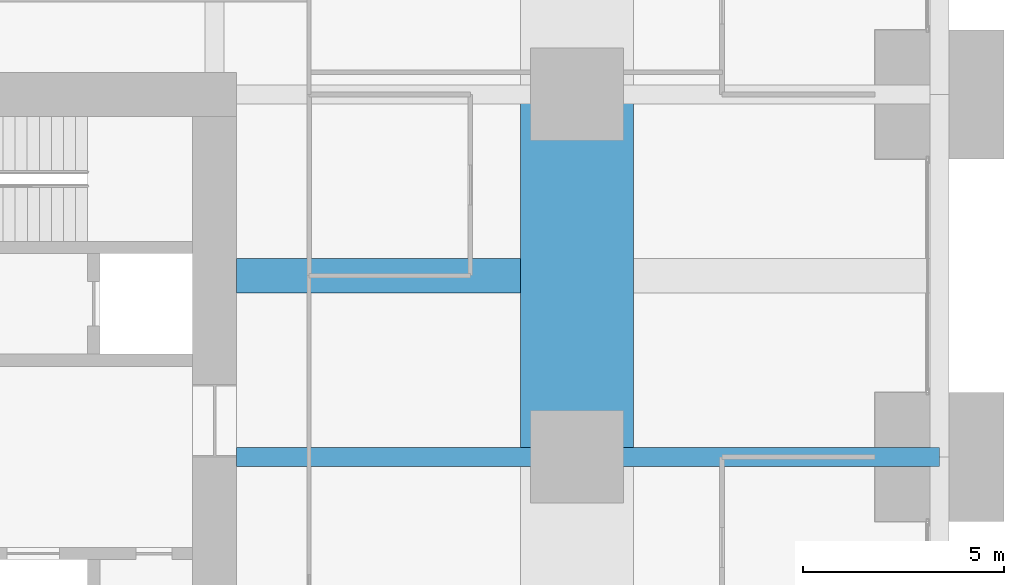
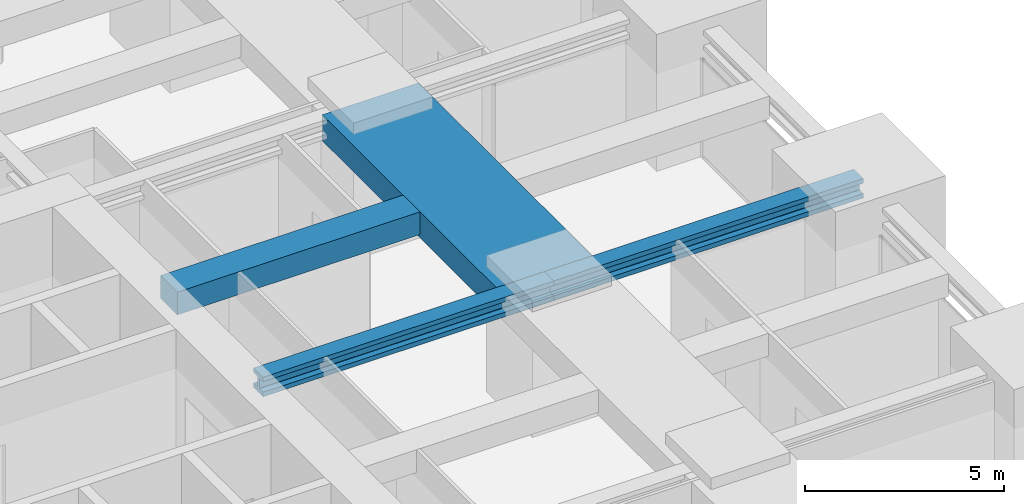
# One storey, part 20 of 42: 4 beams.
"""IFC4 building model written with IfcOpenShell, lengths in metres."""

from ifc_helpers import new_model, si_unit, direction, frame, origin, origin_2d, place, context, subcontext, project, spatial, rectangle, i_section, extrude, material, material_profile, profile_set, type_object, element, save


model = new_model("IFC4")

# Units and contexts
model_context = context("Model", 3, precision=1e-05, world=origin(), true_north=direction((0.0, 1.0)))
body_context = subcontext(model_context, "Body", "Model", "MODEL_VIEW")
ifc_project = project(units=[si_unit("LENGTHUNIT", "METRE"), si_unit("AREAUNIT", "SQUARE_METRE"), si_unit("VOLUMEUNIT", "CUBIC_METRE"), si_unit("PLANEANGLEUNIT", "RADIAN"), si_unit("MASSUNIT", "GRAM", prefix="KILO")], contexts=[model_context])

# Site, building, storey
site_placement = place(None, origin())
site = spatial("IfcSite", under=ifc_project, at=site_placement, CompositionType="ELEMENT")
building_placement = place(site_placement, origin())
building = spatial("IfcBuilding", under=site, at=building_placement, Name="Zorevar Civic Tower", CompositionType="ELEMENT")
storey_placement = place(building_placement, frame((0.0, 0.0, 75.800048828125)))
storey = spatial("IfcBuildingStorey", under=building, at=storey_placement, Name="L18", CompositionType="ELEMENT", Elevation=75.800048828125)

# Beams
ifc_material_1 = material(Name="Concrete C50/60", Category="concrete")
ifc_material_profile_1 = material_profile(ifc_material_1, rectangle(XDim=2.800048828125, YDim=0.800048828125, at=origin_2d()), Name="RC 2800x800")
ifc_profile_set_1 = profile_set([ifc_material_profile_1], Name="Concrete C50/60")
beam_type_1 = type_object("IfcBeamType", Name="Beam RC 2800x800", PredefinedType="BEAM", material=ifc_profile_set_1)
beam_1_placement = place(storey_placement, frame((54.0, 27.0, 3.449951171875), z_axis=(0.0, 1.0, 0.0), x_axis=(-1.0, 0.0, 0.0)))
element("IfcBeam", 1, at=beam_1_placement, inside=storey, type_object=beam_type_1, Name="Girder L19", PredefinedType="BEAM", context=body_context, shape_type="SweptSolid", body=[
    extrude(rectangle(XDim=2.800048828125, YDim=0.800048828125, at=origin_2d()), origin(), (0.0, 0.0, 1.0), 9.0),
])
ifc_material_2 = material(Name="Concrete C50/60", Category="concrete")
ifc_material_profile_2 = material_profile(ifc_material_2, rectangle(XDim=0.85009765625, YDim=0.699951171875, at=origin_2d()), Name="RC 850x700")
ifc_profile_set_2 = profile_set([ifc_material_profile_2], Name="Concrete C50/60")
beam_type_2 = type_object("IfcBeamType", Name="Beam RC 850x700", PredefinedType="BEAM", material=ifc_profile_set_2)
beam_2_placement = place(storey_placement, frame((45.550048828125, 31.5, 3.5), z_axis=(1.0, 0.0, 0.0), x_axis=(0.0, 1.0, 0.0)))
element("IfcBeam", 2, at=beam_2_placement, inside=storey, type_object=beam_type_2, Name="Secondary beam L19", PredefinedType="BEAM", context=body_context, shape_type="SweptSolid", body=[
    extrude(rectangle(XDim=0.85009765625, YDim=0.699951171875, at=origin_2d()), origin(), (0.0, 0.0, 1.0), 7.050048828125),
])
ifc_material_3 = material(Name="Steel S460M (HISTAR 460)", Category="steel")
ifc_material_profile_3 = material_profile(ifc_material_3, i_section(OverallWidth=0.47607421875, OverallDepth=0.60009765625, WebThickness=0.10009765625, FlangeThickness=0.139892578125, FilletRadius=0.014892578125, at=origin_2d()), Name="HD 400x1299")
ifc_profile_set_3 = profile_set([ifc_material_profile_3], Name="Steel S460M (HISTAR 460)")
beam_type_3 = type_object("IfcBeamType", Name="Outrigger chord HD 400x1299", PredefinedType="BEAM", material=ifc_profile_set_3)
beam_3_placement = place(storey_placement, frame((45.550048828125, 27.0, 3.550048828125), z_axis=(1.0, 0.0, 0.0), x_axis=(0.0, 1.0, 0.0)))
element("IfcBeam", 3, at=beam_3_placement, inside=storey, type_object=beam_type_3, Name="Outrigger chord L19", PredefinedType="BEAM", context=body_context, shape_type="SweptSolid", body=[
    extrude(i_section(OverallWidth=0.47607421875, OverallDepth=0.60009765625, WebThickness=0.10009765625, FlangeThickness=0.139892578125, FilletRadius=0.014892578125, at=origin_2d()), origin(), (0.0, 0.0, 1.0), 8.449951171875),
])
beam_4_placement = place(storey_placement, frame((54.0, 27.0, 3.550048828125), z_axis=(1.0, 0.0, 0.0), x_axis=(0.0, 1.0, 0.0)))
element("IfcBeam", 4, at=beam_4_placement, inside=storey, type_object=beam_type_3, Name="Outrigger chord L19", PredefinedType="BEAM", context=body_context, shape_type="SweptSolid", body=[
    extrude(i_section(OverallWidth=0.47607421875, OverallDepth=0.60009765625, WebThickness=0.10009765625, FlangeThickness=0.139892578125, FilletRadius=0.014892578125, at=origin_2d()), origin(), (0.0, 0.0, 1.0), 9.0),
])

save(model, "model.ifc")
